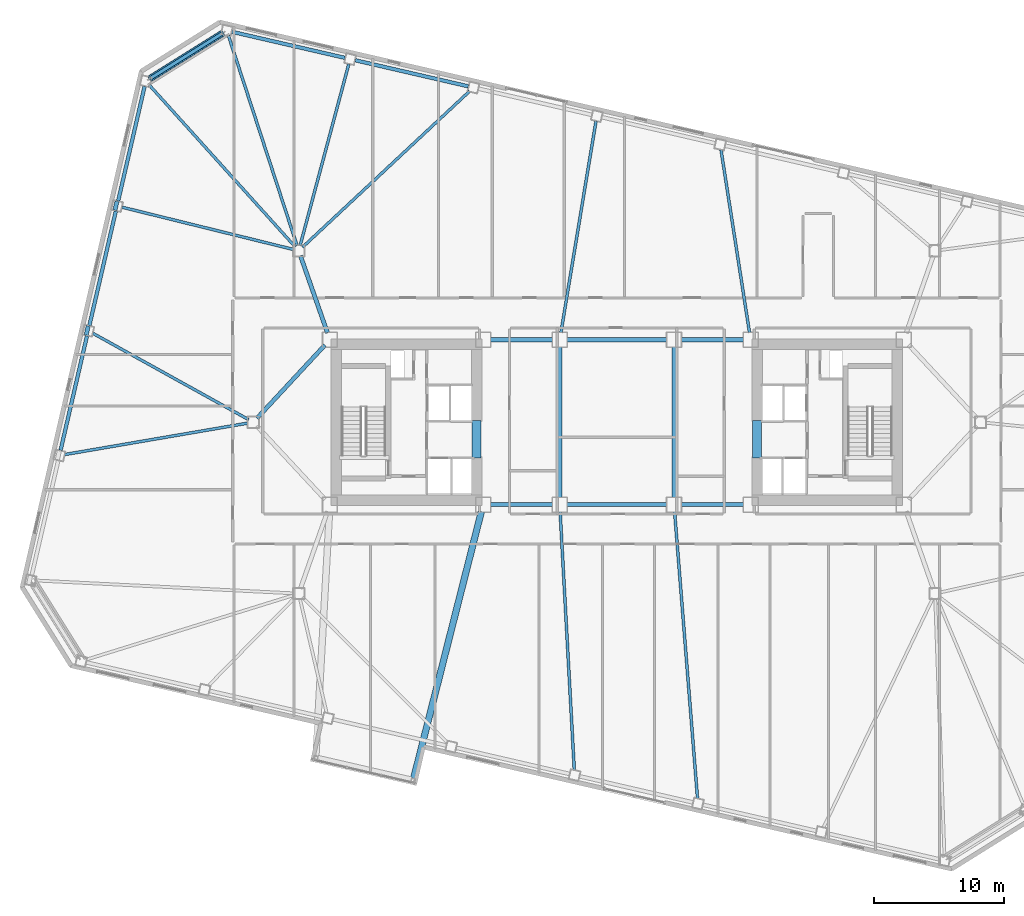
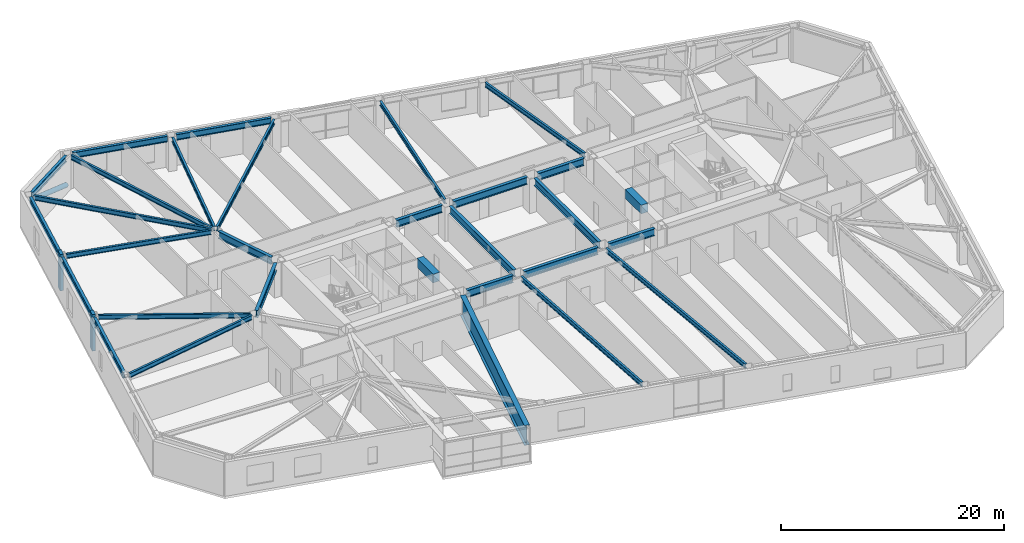
# One storey, part 6 of 21: 30 beams, 3 members.
"""IFC4 building model written with IfcOpenShell, lengths in metres."""

from ifc_helpers import new_model, si_unit, direction, frame, origin, origin_2d, place, context, subcontext, project, spatial, rectangle, hollow_circle, i_section, extrude, material, material_profile, profile_set, type_object, element, save


model = new_model("IFC4")

# Units and contexts
model_context = context("Model", 3, precision=1e-05, world=origin(), true_north=direction((0.0, 1.0)))
body_context = subcontext(model_context, "Body", "Model", "MODEL_VIEW")
ifc_project = project(units=[si_unit("LENGTHUNIT", "METRE"), si_unit("AREAUNIT", "SQUARE_METRE"), si_unit("VOLUMEUNIT", "CUBIC_METRE"), si_unit("PLANEANGLEUNIT", "RADIAN"), si_unit("MASSUNIT", "GRAM", prefix="KILO")], contexts=[model_context])

# Site, building, storey
site_placement = place(None, origin())
site = spatial("IfcSite", under=ifc_project, at=site_placement, CompositionType="ELEMENT")
building_placement = place(site_placement, origin())
building = spatial("IfcBuilding", under=site, at=building_placement, Name="Tavrogorsk Clinical Tower", CompositionType="ELEMENT")
storey_placement = place(building_placement, frame((0.0, 0.0, 43.39990234375)))
storey = spatial("IfcBuildingStorey", under=building, at=storey_placement, Name="L08", CompositionType="ELEMENT", Elevation=43.39990234375)

# Beams
ifc_material_1 = material(Name="Concrete B80", Category="concrete")
ifc_material_profile_1 = material_profile(ifc_material_1, rectangle(XDim=0.699951171875, YDim=0.949951171875, at=origin_2d()), Name="RC-CB-700x950")
ifc_profile_set_1 = profile_set([ifc_material_profile_1], Name="Concrete B80")
beam_type_1 = type_object("IfcBeamType", Name="CouplingBeam_RC700x950", PredefinedType="LINTEL", material=ifc_profile_set_1)
for number, where, z_axis, x_axis, name in (
    (1, (-10.800048828125, -2.75, 3.26513671875), (0.0, 1.0, 0.0), (-1.0, 0.0, 0.0), "L08 Core West Coupling Beam"),
    (2, (10.800048828125, -2.75, 3.26513671875), (0.0, 1.0, 0.0), (-1.0, 0.0, 0.0), "L08 Core East Coupling Beam"),
):
    element("IfcBeam", number, at=place(storey_placement, frame(where, z_axis=z_axis, x_axis=x_axis)), inside=storey, type_object=beam_type_1, Name=name, PredefinedType="LINTEL", context=body_context, shape_type="SweptSolid", body=[
        extrude(rectangle(XDim=0.699951171875, YDim=0.949951171875, at=origin_2d()), origin(), (0.0, 0.0, 1.0), 2.89990234375),
    ])

# Member
ifc_material_2 = material(Name="Structural steel S440", Category="steel")
ifc_material_profile_2 = material_profile(ifc_material_2, hollow_circle(Radius=0.25390625, WallThickness=0.02001953125, at=origin_2d()), Name="CHS-508x20")
ifc_profile_set_2 = profile_set([ifc_material_profile_2], Name="Structural steel S440")
member_type_1 = type_object("IfcMemberType", Name="ExoBrace_CHS508", PredefinedType="BRACE", material=ifc_profile_set_2)
member_placement = place(storey_placement, frame((-30.364013671875, 29.9541015625, 0.442626953125), z_axis=(-0.794678685861, -0.496570017703, 0.349147538667), x_axis=(0.529919005048, -0.848048258113, 0.0)))
element("IfcMember", 3, at=member_placement, inside=storey, type_object=member_type_1, Name="L08 Corner Exoskeleton Brace N8-W1", PredefinedType="BRACE", context=body_context, shape_type="SweptSolid", body=[
    extrude(hollow_circle(Radius=0.25390625, WallThickness=0.02001953125, at=origin_2d()), origin(), (0.0, 0.0, 1.0), 7.03173828125),
])

# Beams
ifc_material_3 = material(Name="Structural steel S355", Category="steel")
ifc_material_profile_3 = material_profile(ifc_material_3, i_section(OverallWidth=0.219970703125, OverallDepth=0.5, WebThickness=0.012939453125, FlangeThickness=0.02001953125, at=origin_2d()), Name="B-500x220x13x20")
ifc_profile_set_3 = profile_set([ifc_material_profile_3], Name="Structural steel S355")
beam_type_2 = type_object("IfcBeamType", Name="FloorBeam_B500", PredefinedType="BEAM", material=ifc_profile_set_3)
beam_1_placement = place(storey_placement, frame((-4.369384765625, -6.9091796875, 3.489990234375), z_axis=(0.054826938013, -0.998495872234, 0.0), x_axis=(0.998495872234, 0.054826938013, 0.0)))
element("IfcBeam", 4, at=beam_1_placement, inside=storey, type_object=beam_type_2, Name="L08 Radial Floor Beam S5", PredefinedType="BEAM", context=body_context, shape_type="SweptSolid", body=[
    extrude(i_section(OverallWidth=0.219970703125, OverallDepth=0.5, WebThickness=0.012939453125, FlangeThickness=0.02001953125, at=origin_2d()), origin(), (0.0, 0.0, 1.0), 19.891357421875),
])
beam_2_placement = place(storey_placement, frame((4.444580078125, -6.908203125, 3.489990234375), z_axis=(0.079775043579, -0.996812892384, 0.0), x_axis=(0.996812892384, 0.079775043579, 0.0)))
element("IfcBeam", 5, at=beam_2_placement, inside=storey, type_object=beam_type_2, Name="L08 Radial Floor Beam S6", PredefinedType="BEAM", context=body_context, shape_type="SweptSolid", body=[
    extrude(i_section(OverallWidth=0.219970703125, OverallDepth=0.5, WebThickness=0.012939453125, FlangeThickness=0.02001953125, at=origin_2d()), origin(), (0.0, 0.0, 1.0), 22.12646484375),
])
beam_3_placement = place(storey_placement, frame((10.213623046875, 6.9033203125, 3.489990234375), z_axis=(-0.154089917001, 0.988056829073, 0.0), x_axis=(-0.988056829073, -0.154089917001, 0.0)))
element("IfcBeam", 6, at=beam_3_placement, inside=storey, type_object=beam_type_2, Name="L08 Radial Floor Beam N4", PredefinedType="BEAM", context=body_context, shape_type="SweptSolid", body=[
    extrude(i_section(OverallWidth=0.219970703125, OverallDepth=0.5, WebThickness=0.012939453125, FlangeThickness=0.02001953125, at=origin_2d()), origin(), (0.0, 0.0, 1.0), 14.24853515625),
])
beam_4_placement = place(storey_placement, frame((-4.308349609375, 6.90234375, 3.489990234375), z_axis=(0.163563683006, 0.986532777763, 0.0), x_axis=(-0.986532777763, 0.163563683006, 0.0)))
element("IfcBeam", 7, at=beam_4_placement, inside=storey, type_object=beam_type_2, Name="L08 Radial Floor Beam N5", PredefinedType="BEAM", context=body_context, shape_type="SweptSolid", body=[
    extrude(i_section(OverallWidth=0.219970703125, OverallDepth=0.5, WebThickness=0.012939453125, FlangeThickness=0.02001953125, at=origin_2d()), origin(), (0.0, 0.0, 1.0), 16.4951171875),
])
beam_5_placement = place(storey_placement, frame((-24.200439453125, 13.47998046875, 3.489990234375), z_axis=(0.730781163302, 0.682611816015, 0.0), x_axis=(-0.682611816015, 0.730781163302, 0.0)))
element("IfcBeam", 8, at=beam_5_placement, inside=storey, type_object=beam_type_2, Name="L08 Radial Floor Beam N6", PredefinedType="BEAM", context=body_context, shape_type="SweptSolid", body=[
    extrude(i_section(OverallWidth=0.219970703125, OverallDepth=0.5, WebThickness=0.012939453125, FlangeThickness=0.02001953125, at=origin_2d()), origin(), (0.0, 0.0, 1.0), 17.597412109375),
])
beam_6_placement = place(storey_placement, frame((-24.393798828125, 13.595947265625, 3.489990234375), z_axis=(0.25900262632, 0.965876617151, 0.0), x_axis=(-0.965876617151, 0.25900262632, 0.0)))
element("IfcBeam", 9, at=beam_6_placement, inside=storey, type_object=beam_type_2, Name="L08 Radial Floor Beam N7", PredefinedType="BEAM", context=body_context, shape_type="SweptSolid", body=[
    extrude(i_section(OverallWidth=0.219970703125, OverallDepth=0.5, WebThickness=0.012939453125, FlangeThickness=0.02001953125, at=origin_2d()), origin(), (0.0, 0.0, 1.0), 14.46728515625),
])
beam_7_placement = place(storey_placement, frame((-24.62744140625, 13.58984375, 3.489990234375), z_axis=(-0.310546210819, 0.950558283824, 0.0), x_axis=(-0.950558283824, -0.310546210819, 0.0)))
element("IfcBeam", 10, at=beam_7_placement, inside=storey, type_object=beam_type_2, Name="L08 Radial Floor Beam N8", PredefinedType="BEAM", context=body_context, shape_type="SweptSolid", body=[
    extrude(i_section(OverallWidth=0.219970703125, OverallDepth=0.5, WebThickness=0.012939453125, FlangeThickness=0.02001953125, at=origin_2d()), origin(), (0.0, 0.0, 1.0), 17.0205078125),
])
beam_8_placement = place(storey_placement, frame((-24.774658203125, 13.50439453125, 3.489990234375), z_axis=(-0.669660294237, 0.742667550337, 0.0), x_axis=(-0.742667550337, -0.669660294237, 0.0)))
element("IfcBeam", 11, at=beam_8_placement, inside=storey, type_object=beam_type_2, Name="L08 Radial Floor Beam W1", PredefinedType="BEAM", context=body_context, shape_type="SweptSolid", body=[
    extrude(i_section(OverallWidth=0.219970703125, OverallDepth=0.5, WebThickness=0.012939453125, FlangeThickness=0.02001953125, at=origin_2d()), origin(), (0.0, 0.0, 1.0), 16.76708984375),
])
beam_9_placement = place(storey_placement, frame((-24.89794921875, 13.298095703125, 3.489990234375), z_axis=(-0.970889910259, 0.23952616174, 0.0), x_axis=(-0.23952616174, -0.970889910259, 0.0)))
element("IfcBeam", 12, at=beam_9_placement, inside=storey, type_object=beam_type_2, Name="L08 Radial Floor Beam W2", PredefinedType="BEAM", context=body_context, shape_type="SweptSolid", body=[
    extrude(i_section(OverallWidth=0.219970703125, OverallDepth=0.5, WebThickness=0.012939453125, FlangeThickness=0.02001953125, at=origin_2d()), origin(), (0.0, 0.0, 1.0), 13.595947265625),
])
beam_10_placement = place(storey_placement, frame((-28.358642578125, 0.19873046875, 3.489990234375), z_axis=(-0.874654711976, 0.484746464472, 0.0), x_axis=(-0.484746464472, -0.874654711976, 0.0)))
element("IfcBeam", 13, at=beam_10_placement, inside=storey, type_object=beam_type_2, Name="L08 Radial Floor Beam W3", PredefinedType="BEAM", context=body_context, shape_type="SweptSolid", body=[
    extrude(i_section(OverallWidth=0.219970703125, OverallDepth=0.5, WebThickness=0.012939453125, FlangeThickness=0.02001953125, at=origin_2d()), origin(), (0.0, 0.0, 1.0), 13.7158203125),
])
beam_11_placement = place(storey_placement, frame((-28.404052734375, -0.0693359375, 3.489990234375), z_axis=(-0.985592408786, -0.169137824698, 0.0), x_axis=(0.169137824698, -0.985592408786, 0.0)))
element("IfcBeam", 14, at=beam_11_placement, inside=storey, type_object=beam_type_2, Name="L08 Radial Floor Beam W4", PredefinedType="BEAM", context=body_context, shape_type="SweptSolid", body=[
    extrude(i_section(OverallWidth=0.219970703125, OverallDepth=0.5, WebThickness=0.012939453125, FlangeThickness=0.02001953125, at=origin_2d()), origin(), (0.0, 0.0, 1.0), 14.33056640625),
])

# Members
ifc_material_4 = material(Name="Precast concrete B45 with limestone cladding", Category="masonry")
ifc_material_profile_4 = material_profile(ifc_material_4, rectangle(XDim=0.320068359375, YDim=0.719970703125, at=origin_2d()), Name="LIMESTONE-FIN-320x720")
ifc_profile_set_4 = profile_set([ifc_material_profile_4], Name="Precast concrete B45 with limestone cladding")
member_type_2 = type_object("IfcMemberType", Name="LimestonePleatFin_320x720", PredefinedType="USERDEFINED", material=ifc_profile_set_4)
for number, where, z_axis, x_axis, name in (
    (15, (-38.572265625, 16.67041015625, 0.0), (0.0, 0.0, 1.0), (0.974370064785, -0.224951054344, 0.0), "L08 W Pleated Stone Fin 1"),
    (16, (-40.7900390625, 7.06298828125, 0.0), (0.0, 0.0, 1.0), (0.974370064785, -0.224951054344, 0.0), "L08 W Pleated Stone Fin 2"),
):
    element("IfcMember", number, at=place(storey_placement, frame(where, z_axis=z_axis, x_axis=x_axis)), inside=storey, type_object=member_type_2, Name=name, ObjectType="FIN", PredefinedType="USERDEFINED", context=body_context, shape_type="SweptSolid", body=[
        extrude(rectangle(XDim=0.320068359375, YDim=0.719970703125, at=origin_2d()), origin(), (0.0, 0.0, 1.0), 4.0),
    ])

# Beams
ifc_material_5 = material(Name="Structural steel S390", Category="steel")
ifc_material_profile_5 = material_profile(ifc_material_5, i_section(OverallWidth=0.320068359375, OverallDepth=0.800048828125, WebThickness=0.02001953125, FlangeThickness=0.033935546875, at=origin_2d()), Name="B-800x320x20x34")
ifc_profile_set_5 = profile_set([ifc_material_profile_5], Name="Structural steel S390")
beam_type_3 = type_object("IfcBeamType", Name="PrimaryGirder_B800", PredefinedType="USERDEFINED", material=ifc_profile_set_5)
for number, where, z_axis, x_axis, name in (
    (17, (-9.739990234375, -6.35009765625, 3.340087890625), (1.0, 0.0, 0.0), (0.0, 1.0, 0.0), "L08 Primary Spine Girder MG-01"),
    (18, (-9.739990234375, 6.35009765625, 3.340087890625), (1.0, 0.0, 0.0), (0.0, 1.0, 0.0), "L08 Primary Spine Girder MG-02"),
):
    element("IfcBeam", number, at=place(storey_placement, frame(where, z_axis=z_axis, x_axis=x_axis)), inside=storey, type_object=beam_type_3, Name=name, ObjectType="GIRDER", PredefinedType="USERDEFINED", context=body_context, shape_type="SweptSolid", body=[
        extrude(i_section(OverallWidth=0.320068359375, OverallDepth=0.800048828125, WebThickness=0.02001953125, FlangeThickness=0.033935546875, at=origin_2d()), origin(), (0.0, 0.0, 1.0), 4.780029296875),
    ])
for number, where, z_axis, x_axis, name in (
    (19, (-3.840087890625, -6.35009765625, 3.340087890625), (1.0, 0.0, 0.0), (0.0, 1.0, 0.0), "L08 Primary Spine Girder MG-03"),
    (20, (-3.840087890625, 6.35009765625, 3.340087890625), (1.0, 0.0, 0.0), (0.0, 1.0, 0.0), "L08 Primary Spine Girder MG-04"),
):
    element("IfcBeam", number, at=place(storey_placement, frame(where, z_axis=z_axis, x_axis=x_axis)), inside=storey, type_object=beam_type_3, Name=name, ObjectType="GIRDER", PredefinedType="USERDEFINED", context=body_context, shape_type="SweptSolid", body=[
        extrude(i_section(OverallWidth=0.320068359375, OverallDepth=0.800048828125, WebThickness=0.02001953125, FlangeThickness=0.033935546875, at=origin_2d()), origin(), (0.0, 0.0, 1.0), 7.68017578125),
    ])
for number, where, z_axis, x_axis, name in (
    (21, (4.9599609375, -6.35009765625, 3.340087890625), (1.0, 0.0, 0.0), (0.0, 1.0, 0.0), "L08 Primary Spine Girder MG-05"),
    (22, (4.9599609375, 6.35009765625, 3.340087890625), (1.0, 0.0, 0.0), (0.0, 1.0, 0.0), "L08 Primary Spine Girder MG-06"),
):
    element("IfcBeam", number, at=place(storey_placement, frame(where, z_axis=z_axis, x_axis=x_axis)), inside=storey, type_object=beam_type_3, Name=name, ObjectType="GIRDER", PredefinedType="USERDEFINED", context=body_context, shape_type="SweptSolid", body=[
        extrude(i_section(OverallWidth=0.320068359375, OverallDepth=0.800048828125, WebThickness=0.02001953125, FlangeThickness=0.033935546875, at=origin_2d()), origin(), (0.0, 0.0, 1.0), 4.780029296875),
    ])
for number, where, z_axis, x_axis, name in (
    (23, (-4.39990234375, -5.7900390625, 3.340087890625), (0.0, 1.0, 0.0), (-1.0, 0.0, 0.0), "L08 Primary Spine Girder MG-07"),
    (24, (4.39990234375, -5.7900390625, 3.340087890625), (0.0, 1.0, 0.0), (-1.0, 0.0, 0.0), "L08 Primary Spine Girder MG-08"),
):
    element("IfcBeam", number, at=place(storey_placement, frame(where, z_axis=z_axis, x_axis=x_axis)), inside=storey, type_object=beam_type_3, Name=name, ObjectType="GIRDER", PredefinedType="USERDEFINED", context=body_context, shape_type="SweptSolid", body=[
        extrude(i_section(OverallWidth=0.320068359375, OverallDepth=0.800048828125, WebThickness=0.02001953125, FlangeThickness=0.033935546875, at=origin_2d()), origin(), (0.0, 0.0, 1.0), 11.580078125),
    ])
beam_12_placement = place(storey_placement, frame((-24.364501953125, 12.81298828125, 3.340087890625), z_axis=(0.330668611543, -0.943746930771, 0.0), x_axis=(0.943746930771, 0.330668611543, 0.0)))
element("IfcBeam", 25, at=beam_12_placement, inside=storey, type_object=beam_type_3, Name="L08 Spine Link Girder OPG-3", ObjectType="GIRDER", PredefinedType="USERDEFINED", context=body_context, shape_type="SweptSolid", body=[
    extrude(i_section(OverallWidth=0.320068359375, OverallDepth=0.800048828125, WebThickness=0.02001953125, FlangeThickness=0.033935546875, at=origin_2d()), origin(), (0.0, 0.0, 1.0), 6.288330078125),
])
beam_13_placement = place(storey_placement, frame((-27.720947265625, 0.30029296875, 3.340087890625), z_axis=(0.680671250221, 0.732589004233, 0.0), x_axis=(-0.732589004233, 0.680671250221, 0.0)))
element("IfcBeam", 26, at=beam_13_placement, inside=storey, type_object=beam_type_3, Name="L08 Spine Link Girder OPG-6", ObjectType="GIRDER", PredefinedType="USERDEFINED", context=body_context, shape_type="SweptSolid", body=[
    extrude(i_section(OverallWidth=0.320068359375, OverallDepth=0.800048828125, WebThickness=0.02001953125, FlangeThickness=0.033935546875, at=origin_2d()), origin(), (0.0, 0.0, 1.0), 7.697998046875),
])
ifc_material_6 = material(Name="Structural steel S390", Category="steel")
ifc_material_profile_6 = material_profile(ifc_material_6, i_section(OverallWidth=0.280029296875, OverallDepth=0.64990234375, WebThickness=0.01611328125, FlangeThickness=0.02490234375, at=origin_2d()), Name="B-650x280x16x25")
ifc_profile_set_6 = profile_set([ifc_material_profile_6], Name="Structural steel S390")
beam_type_4 = type_object("IfcBeamType", Name="SpandrelBeam_B650", PredefinedType="SPANDREL", material=ifc_profile_set_6)
for number, where, z_axis, x_axis, name in (
    (27, (-11.43994140625, 25.862548828125, 3.4150390625), (-0.974372766602, 0.224939351168, 0.0), (-0.224939351168, -0.974372766602, 0.0), "L08 Perimeter Spandrel N6-N7"),
    (28, (-20.9384765625, 28.055419921875, 3.4150390625), (-0.974366775889, 0.224965299645, 0.0), (-0.224965299645, -0.974366775889, 0.0), "L08 Perimeter Spandrel N7-N8"),
):
    element("IfcBeam", number, at=place(storey_placement, frame(where, z_axis=z_axis, x_axis=x_axis)), inside=storey, type_object=beam_type_4, Name=name, PredefinedType="SPANDREL", context=body_context, shape_type="SweptSolid", body=[
        extrude(i_section(OverallWidth=0.280029296875, OverallDepth=0.64990234375, WebThickness=0.01611328125, FlangeThickness=0.02490234375, at=origin_2d()), origin(), (0.0, 0.0, 1.0), 8.9326171875),
    ])
beam_14_placement = place(storey_placement, frame((-30.3857421875, 29.9404296875, 3.4150390625), z_axis=(-0.848044454239, -0.529925092475, 0.0), x_axis=(0.529925092475, -0.848044454239, 0.0)))
element("IfcBeam", 29, at=beam_14_placement, inside=storey, type_object=beam_type_4, Name="L08 Perimeter Spandrel N8-W1", PredefinedType="SPANDREL", context=body_context, shape_type="SweptSolid", body=[
    extrude(i_section(OverallWidth=0.280029296875, OverallDepth=0.64990234375, WebThickness=0.01611328125, FlangeThickness=0.02490234375, at=origin_2d()), origin(), (0.0, 0.0, 1.0), 6.537841796875),
])
beam_15_placement = place(storey_placement, frame((-36.367919921875, 25.862060546875, 3.4150390625), z_axis=(-0.224952169462, -0.974369807339, 0.0), x_axis=(0.974369807339, -0.224952169462, 0.0)))
element("IfcBeam", 30, at=beam_15_placement, inside=storey, type_object=beam_type_4, Name="L08 Perimeter Spandrel W1-W2", PredefinedType="SPANDREL", context=body_context, shape_type="SweptSolid", body=[
    extrude(i_section(OverallWidth=0.280029296875, OverallDepth=0.64990234375, WebThickness=0.01611328125, FlangeThickness=0.02490234375, at=origin_2d()), origin(), (0.0, 0.0, 1.0), 9.043701171875),
])
beam_16_placement = place(storey_placement, frame((-38.5859375, 16.2548828125, 3.4150390625), z_axis=(-0.224946252597, -0.974371173343, 0.0), x_axis=(0.974371173343, -0.224946252597, 0.0)))
element("IfcBeam", 31, at=beam_16_placement, inside=storey, type_object=beam_type_4, Name="L08 Perimeter Spandrel W2-W3", PredefinedType="SPANDREL", context=body_context, shape_type="SweptSolid", body=[
    extrude(i_section(OverallWidth=0.280029296875, OverallDepth=0.64990234375, WebThickness=0.01611328125, FlangeThickness=0.02490234375, at=origin_2d()), origin(), (0.0, 0.0, 1.0), 9.0439453125),
])
beam_17_placement = place(storey_placement, frame((-40.803955078125, 6.6474609375, 3.4150390625), z_axis=(-0.224952169462, -0.974369807339, 0.0), x_axis=(0.974369807339, -0.224952169462, 0.0)))
element("IfcBeam", 32, at=beam_17_placement, inside=storey, type_object=beam_type_4, Name="L08 Perimeter Spandrel W3-W4", PredefinedType="SPANDREL", context=body_context, shape_type="SweptSolid", body=[
    extrude(i_section(OverallWidth=0.280029296875, OverallDepth=0.64990234375, WebThickness=0.01611328125, FlangeThickness=0.02490234375, at=origin_2d()), origin(), (0.0, 0.0, 1.0), 9.043701171875),
])
ifc_material_7 = material(Name="Structural steel S440", Category="steel")
ifc_material_profile_7 = material_profile(ifc_material_7, i_section(OverallWidth=0.5, OverallDepth=2.199951171875, WebThickness=0.035888671875, FlangeThickness=0.054931640625, at=origin_2d()), Name="DK-2200x500x36x55")
ifc_profile_set_7 = profile_set([ifc_material_profile_7], Name="Structural steel S440")
beam_type_5 = type_object("IfcBeamType", Name="TransferGirder_DK2200", PredefinedType="USERDEFINED", material=ifc_profile_set_7)
beam_18_placement = place(storey_placement, frame((-10.437744140625, -6.892822265625, 2.64013671875), z_axis=(-0.246079129075, -0.969249741931, 0.0), x_axis=(0.969249741931, -0.246079129075, 0.0)))
element("IfcBeam", 33, at=beam_18_placement, inside=storey, type_object=beam_type_5, Name="L08 Day-Room Cantilever Beam DRB-01-R", ObjectType="GIRDER", PredefinedType="USERDEFINED", context=body_context, shape_type="SweptSolid", body=[
    extrude(i_section(OverallWidth=0.5, OverallDepth=2.199951171875, WebThickness=0.035888671875, FlangeThickness=0.054931640625, at=origin_2d()), origin(), (0.0, 0.0, 1.0), 21.19482421875),
])

save(model, "model.ifc")
